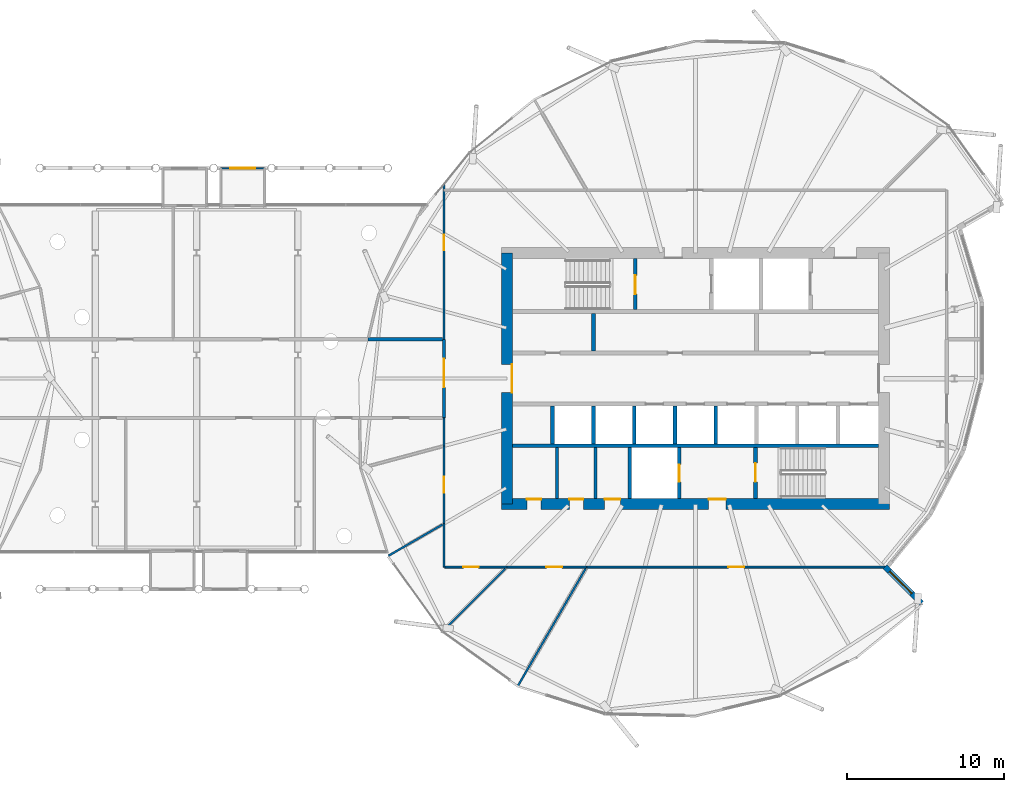
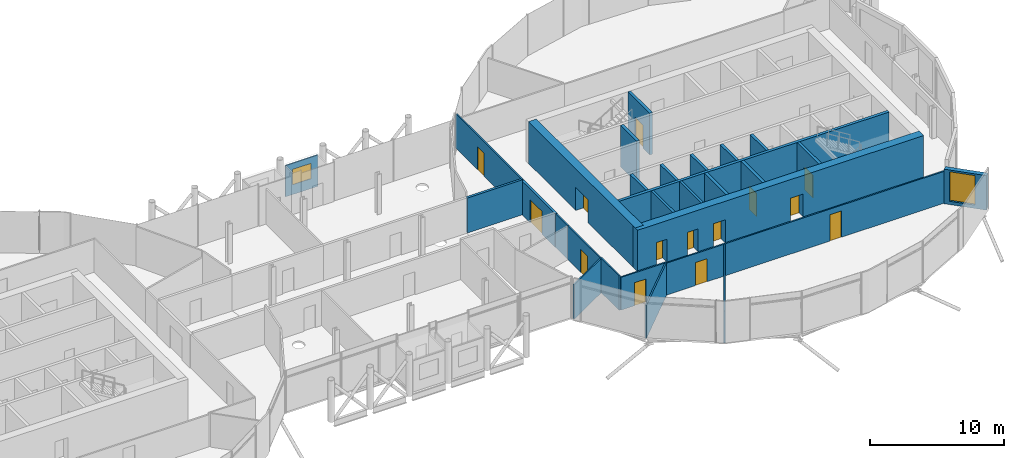
# One storey, part 26 of 39: 29 walls, 14 doors, 2 windows, 16 openings.
"""IFC4 building model written with IfcOpenShell, lengths in metres."""

from ifc_helpers import new_model, si_unit, direction, frame, frame_2d, origin, place, context, subcontext, project, spatial, rectangle, extrude, material, layer, layer_set, type_object, element, fill, save


model = new_model("IFC4")

# Units and contexts
model_context = context("Model", 3, precision=1e-05, world=origin(), true_north=direction((0.0, 1.0)))
body_context = subcontext(model_context, "Body", "Model", "MODEL_VIEW")
ifc_project = project(units=[si_unit("LENGTHUNIT", "METRE"), si_unit("AREAUNIT", "SQUARE_METRE"), si_unit("VOLUMEUNIT", "CUBIC_METRE"), si_unit("PLANEANGLEUNIT", "RADIAN"), si_unit("MASSUNIT", "GRAM", prefix="KILO")], contexts=[model_context])

# Site, building, storey
site_placement = place(None, origin())
site = spatial("IfcSite", under=ifc_project, at=site_placement, CompositionType="ELEMENT")
building_placement = place(site_placement, origin())
building = spatial("IfcBuilding", under=site, at=building_placement, Name="Rimbun Link Towers", CompositionType="ELEMENT")
storey_placement = place(building_placement, frame((0.0, 0.0, 139.199951171875)))
storey = spatial("IfcBuildingStorey", under=building, at=storey_placement, Name="L33", CompositionType="ELEMENT", Elevation=139.199951171875)

# Wall, opening, window
ifc_material_1 = material(Name="Terracotta-faced insulated sandwich panel", Category="masonry")
ifc_layer_1 = layer(ifc_material_1, 0.10009765625)
ifc_layer_set_1 = layer_set([ifc_layer_1], Name="CAPSULE shell panel 100")
wall_type_1 = type_object("IfcWallType", Name="CAPSULE shell panel 100", PredefinedType="STANDARD", material=ifc_layer_set_1)
wall_1_placement = place(storey_placement, frame((4.336669921875, 13.39990234375, -0.06005859375), z_axis=(0.0, 0.0, 1.0), x_axis=(-1.0, 0.0, 0.0)))
wall_1 = element("IfcWall", 1, at=wall_1_placement, inside=storey, type_object=wall_type_1, Name="CAPSULE F33.02 shell panel 2", PredefinedType="STANDARD", context=body_context, shape_type="SweptSolid", body=[
    extrude(rectangle(XDim=2.7998046875, YDim=0.10009765625, at=frame_2d((1.39990234375, 0.0))), origin(), (0.0, 0.0, 1.0), 2.85009765625),
])
opening_1_placement = place(wall_1_placement, frame((0.60009765625, 0.0, 0.89990234375)))
opening_1 = element("IfcOpeningElement", 2, at=opening_1_placement, cuts=wall_1, Name="Opening CN33.02", PredefinedType="OPENING", context=body_context, shape_type="SweptSolid", body=[
    extrude(rectangle(XDim=1.60009765625, YDim=1.39990234375, at=frame_2d((0.800048828125, 0.699951171875))), frame((0.0, 0.06005859375, 0.0), z_axis=(0.0, -1.0, 0.0), x_axis=(1.0, 0.0, 0.0)), (0.0, 0.0, 1.0), 0.1201171875),
])
ifc_material_2 = material(Name="Aluminium framed window, low-iron glass", Category="aluminium")
window_type_1 = type_object("IfcWindowType", Name="CAPSULE window 1600X1400", PartitioningType="SINGLE_PANEL", PredefinedType="WINDOW", material=ifc_material_2)
window_1_placement = place(opening_1_placement, origin())
window_1 = element("IfcWindow", 3, at=window_1_placement, inside=storey, type_object=window_type_1, Name="CAPSULE F33.02 window", OverallHeight=1.39990234375, OverallWidth=1.60009765625, PartitioningType="SINGLE_PANEL", PredefinedType="WINDOW", context=body_context, shape_type="SweptSolid", body=[
    extrude(rectangle(XDim=1.60009765625, YDim=1.39990234375, at=frame_2d((0.800048828125, 0.699951171875))), frame((0.0, 0.030029296875, 0.0), z_axis=(0.0, -1.0, 0.0), x_axis=(1.0, 0.0, 0.0)), (0.0, 0.0, 1.0), 0.06005859375),
])
fill(opening_1, window_1)

ifc_material_3 = material(Name="Dark enamelled glass spandrel on insulated aluminium backpan", Category="aluminium")
ifc_layer_2 = layer(ifc_material_3, 0.3701171875)
ifc_layer_set_2 = layer_set([ifc_layer_2], Name="CS dark enamelled spandrel wall 370")
wall_type_2 = type_object("IfcWallType", Name="CS dark enamelled spandrel wall 370", PredefinedType="STANDARD", material=ifc_layer_set_2)
wall_2_placement = place(storey_placement, frame((43.827880859375, -11.98583984375, 0.0), z_axis=(0.0, 0.0, 1.0), x_axis=(0.707106781187, -0.707106781187, 0.0)))
wall_2 = element("IfcWall", 4, at=wall_2_placement, inside=storey, type_object=wall_type_2, Name="Crease spandrel wall", PredefinedType="STANDARD", context=body_context, shape_type="SweptSolid", body=[
    extrude(rectangle(XDim=3.280029296875, YDim=0.3701171875, at=frame_2d((1.64013671875, 0.0))), origin(), (0.0, 0.0, 1.0), 3.15673828125),
])
opening_2_placement = place(wall_2_placement, frame((0.404296875, 0.0, 0.300048828125)))
opening_2 = element("IfcOpeningElement", 5, at=opening_2_placement, cuts=wall_2, Name="Opening WR20H270", PredefinedType="OPENING", context=body_context, shape_type="SweptSolid", body=[
    extrude(rectangle(XDim=2.0, YDim=2.699951171875, at=frame_2d((1.0, 1.35009765625))), frame((0.0, 0.195068359375, 0.0), z_axis=(0.0, -1.0, 0.0), x_axis=(1.0, 0.0, 0.0)), (0.0, 0.0, 1.0), 0.39013671875),
])
ifc_material_4 = material(Name="Aluminium framed fixed window, dark tinted low-e glass", Category="aluminium")
window_type_2 = type_object("IfcWindowType", Name="WR ribbon window 2000X2700", PartitioningType="SINGLE_PANEL", PredefinedType="WINDOW", material=ifc_material_4)
window_2_placement = place(opening_2_placement, origin())
window_2 = element("IfcWindow", 6, at=window_2_placement, inside=storey, type_object=window_type_2, Name="Crease ribbon window", OverallHeight=2.699951171875, OverallWidth=2.0, PartitioningType="SINGLE_PANEL", PredefinedType="WINDOW", context=body_context, shape_type="SweptSolid", body=[
    extrude(rectangle(XDim=2.0, YDim=2.699951171875, at=frame_2d((1.0, 1.35009765625))), frame((0.0, 0.030029296875, 0.0), z_axis=(0.0, -1.0, 0.0), x_axis=(1.0, 0.0, 0.0)), (0.0, 0.0, 1.0), 0.06005859375),
])
fill(opening_2, window_2)

# Walls
ifc_material_5 = material(Name="Masonry blockwork", Category="masonry")
ifc_layer_3 = layer(ifc_material_5, 0.199951171875)
ifc_layer_set_3 = layer_set([ifc_layer_3], Name="Core partition 200")
wall_type_3 = type_object("IfcWallType", Name="Core partition 200", PredefinedType="PARTITIONING", material=ifc_layer_set_3)
for number, where, z_axis, x_axis, name in (
    (7, (22.949951171875, -4.39990234375, 0.0), (0.0, 0.0, 1.0), (0.0, -1.0, 0.0), "L33 T2 core wall C1"),
    (8, (25.39990234375, -4.39990234375, 0.0), (0.0, 0.0, 1.0), (0.0, -1.0, 0.0), "L33 T2 core wall C2"),
):
    element("IfcWall", number, at=place(storey_placement, frame(where, z_axis=z_axis, x_axis=x_axis)), inside=storey, type_object=wall_type_3, Name=name, PredefinedType="PARTITIONING", context=body_context, shape_type="SweptSolid", body=[
        extrude(rectangle(XDim=3.25, YDim=0.199951171875, at=frame_2d((1.625, 0.0))), origin(), (0.0, 0.0, 1.0), 3.800048828125),
    ])

# Wall, openings, doors
ifc_material_6 = material(Name="Concrete C60/75", Category="concrete")
ifc_layer_4 = layer(ifc_material_6, 0.699951171875)
ifc_layer_set_4 = layer_set([ifc_layer_4], Name="Core shear wall 700")
wall_type_4 = type_object("IfcWallType", Name="Core shear wall 700", PredefinedType="SHEAR", material=ifc_layer_set_4)
wall_3_placement = place(storey_placement, frame((19.39990234375, -8.0, 0.0), z_axis=(0.0, 0.0, 1.0), x_axis=(1.0, 0.0, 0.0)))
wall_3 = element("IfcWall", 9, at=wall_3_placement, inside=storey, type_object=wall_type_4, Name="L33 T2 core wall S", PredefinedType="SHEAR", context=body_context, shape_type="SweptSolid", body=[
    extrude(rectangle(XDim=24.7001953125, YDim=0.699951171875, at=frame_2d((12.35009765625, 0.0))), origin(), (0.0, 0.0, 1.0), 3.800048828125),
])
opening_3_placement = place(wall_3_placement, frame((13.199951171875, 0.0, 0.0)))
opening_3 = element("IfcOpeningElement", 10, at=opening_3_placement, cuts=wall_3, Name="Opening C2DCF01S", PredefinedType="OPENING", context=body_context, shape_type="SweptSolid", body=[
    extrude(rectangle(XDim=1.10009765625, YDim=2.10009765625, at=frame_2d((0.550048828125, 1.050048828125))), frame((0.0, 0.35986328125, 0.0), z_axis=(0.0, -1.0, 0.0), x_axis=(1.0, 0.0, 0.0)), (0.0, 0.0, 1.0), 0.719970703125),
])
opening_4_placement = place(wall_3_placement, frame((1.625, 0.0, 0.0)))
opening_4 = element("IfcOpeningElement", 11, at=opening_4_placement, cuts=wall_3, Name="Opening C2DWC02S", PredefinedType="OPENING", context=body_context, shape_type="SweptSolid", body=[
    extrude(rectangle(XDim=0.89990234375, YDim=2.10009765625, at=frame_2d((0.449951171875, 1.050048828125))), frame((0.0, 0.35986328125, 0.0), z_axis=(0.0, -1.0, 0.0), x_axis=(1.0, 0.0, 0.0)), (0.0, 0.0, 1.0), 0.719970703125),
])
opening_5_placement = place(wall_3_placement, frame((4.324951171875, 0.0, 0.0)))
opening_5 = element("IfcOpeningElement", 12, at=opening_5_placement, cuts=wall_3, Name="Opening C2DWC03S", PredefinedType="OPENING", context=body_context, shape_type="SweptSolid", body=[
    extrude(rectangle(XDim=0.89990234375, YDim=2.10009765625, at=frame_2d((0.449951171875, 1.050048828125))), frame((0.0, 0.35986328125, 0.0), z_axis=(0.0, -1.0, 0.0), x_axis=(1.0, 0.0, 0.0)), (0.0, 0.0, 1.0), 0.719970703125),
])
opening_6_placement = place(wall_3_placement, frame((6.574951171875, 0.0, 0.0)))
opening_6 = element("IfcOpeningElement", 13, at=opening_6_placement, cuts=wall_3, Name="Opening C2DAW04S", PredefinedType="OPENING", context=body_context, shape_type="SweptSolid", body=[
    extrude(rectangle(XDim=1.0, YDim=2.10009765625, at=frame_2d((0.5, 1.050048828125))), frame((0.0, 0.35986328125, 0.0), z_axis=(0.0, -1.0, 0.0), x_axis=(1.0, 0.0, 0.0)), (0.0, 0.0, 1.0), 0.719970703125),
])
ifc_material_7 = material(Name="Timber", Category="wood")
door_type_1 = type_object("IfcDoorType", Name="Accessible WC door", OperationType="SINGLE_SWING_LEFT", PredefinedType="DOOR", material=ifc_material_7)
door_1_placement = place(opening_6_placement, origin())
door_1 = element("IfcDoor", 14, at=door_1_placement, inside=storey, type_object=door_type_1, Name="L33 T2 accessible wc door", OperationType="SINGLE_SWING_RIGHT", OverallHeight=2.10009765625, OverallWidth=1.0, PredefinedType="DOOR", context=body_context, shape_type="SweptSolid", body=[
    extrude(rectangle(XDim=1.0, YDim=2.10009765625, at=frame_2d((0.5, 1.050048828125))), frame((0.0, 0.35009765625, 0.0), z_axis=(0.0, -1.0, 0.0), x_axis=(1.0, 0.0, 0.0)), (0.0, 0.0, 1.0), 0.050048828125),
])
fill(opening_6, door_1)
ifc_material_8 = material(Name="Steel fire door set", Category="steel")
door_type_2 = type_object("IfcDoorType", Name="Core fire door single", OperationType="SINGLE_SWING_LEFT", PredefinedType="DOOR", material=ifc_material_8)
door_2_placement = place(opening_3_placement, origin())
door_2 = element("IfcDoor", 15, at=door_2_placement, inside=storey, type_object=door_type_2, Name="L33 T2 firefighting lobby s door", OperationType="SINGLE_SWING_LEFT", OverallHeight=2.10009765625, OverallWidth=1.10009765625, PredefinedType="DOOR", context=body_context, shape_type="SweptSolid", body=[
    extrude(rectangle(XDim=1.10009765625, YDim=2.10009765625, at=frame_2d((0.550048828125, 1.050048828125))), frame((0.0, 0.35009765625, 0.0), z_axis=(0.0, -1.0, 0.0), x_axis=(1.0, 0.0, 0.0)), (0.0, 0.0, 1.0), 0.050048828125),
])
fill(opening_3, door_2)
ifc_material_9 = material(Name="Timber", Category="wood")
door_type_3 = type_object("IfcDoorType", Name="WC door", OperationType="SINGLE_SWING_LEFT", PredefinedType="DOOR", material=ifc_material_9)
door_3_placement = place(opening_4_placement, origin())
door_3 = element("IfcDoor", 16, at=door_3_placement, inside=storey, type_object=door_type_3, Name="L33 T2 male wc door", OperationType="SINGLE_SWING_RIGHT", OverallHeight=2.10009765625, OverallWidth=0.89990234375, PredefinedType="DOOR", context=body_context, shape_type="SweptSolid", body=[
    extrude(rectangle(XDim=0.89990234375, YDim=2.10009765625, at=frame_2d((0.449951171875, 1.050048828125))), frame((0.0, 0.35009765625, 0.0), z_axis=(0.0, -1.0, 0.0), x_axis=(1.0, 0.0, 0.0)), (0.0, 0.0, 1.0), 0.050048828125),
])
fill(opening_4, door_3)
door_4_placement = place(opening_5_placement, origin())
door_4 = element("IfcDoor", 17, at=door_4_placement, inside=storey, type_object=door_type_3, Name="L33 T2 female wc door", OperationType="SINGLE_SWING_RIGHT", OverallHeight=2.10009765625, OverallWidth=0.89990234375, PredefinedType="DOOR", context=body_context, shape_type="SweptSolid", body=[
    extrude(rectangle(XDim=0.89990234375, YDim=2.10009765625, at=frame_2d((0.449951171875, 1.050048828125))), frame((0.0, 0.35009765625, 0.0), z_axis=(0.0, -1.0, 0.0), x_axis=(1.0, 0.0, 0.0)), (0.0, 0.0, 1.0), 0.050048828125),
])
fill(opening_5, door_4)

# Wall, opening, door
wall_4_placement = place(storey_placement, frame((19.75, -8.0, 0.0), z_axis=(0.0, 0.0, 1.0), x_axis=(0.0, 1.0, 0.0)))
wall_4 = element("IfcWall", 18, at=wall_4_placement, inside=storey, type_object=wall_type_4, Name="L33 T2 core wall W", PredefinedType="SHEAR", context=body_context, shape_type="SweptSolid", body=[
    extrude(rectangle(XDim=16.0, YDim=0.699951171875, at=frame_2d((8.0, 0.0))), origin(), (0.0, 0.0, 1.0), 3.800048828125),
])
opening_7_placement = place(wall_4_placement, frame((7.10009765625, 0.0, 0.0)))
opening_7 = element("IfcOpeningElement", 19, at=opening_7_placement, cuts=wall_4, Name="Opening C2DCL01W", PredefinedType="OPENING", context=body_context, shape_type="SweptSolid", body=[
    extrude(rectangle(XDim=1.800048828125, YDim=2.10009765625, at=frame_2d((0.89990234375, 1.050048828125))), frame((0.0, 0.35986328125, 0.0), z_axis=(0.0, -1.0, 0.0), x_axis=(1.0, 0.0, 0.0)), (0.0, 0.0, 1.0), 0.719970703125),
])
ifc_material_10 = material(Name="Steel fire door set", Category="steel")
door_type_4 = type_object("IfcDoorType", Name="Core lobby door double", OperationType="DOUBLE_DOOR_SINGLE_SWING", PredefinedType="DOOR", material=ifc_material_10)
door_5_placement = place(opening_7_placement, origin())
door_5 = element("IfcDoor", 20, at=door_5_placement, inside=storey, type_object=door_type_4, Name="L33 T2 lift lobby door", OperationType="DOUBLE_DOOR_SINGLE_SWING", OverallHeight=2.10009765625, OverallWidth=1.800048828125, PredefinedType="DOOR", context=body_context, shape_type="SweptSolid", body=[
    extrude(rectangle(XDim=1.800048828125, YDim=2.10009765625, at=frame_2d((0.89990234375, 1.050048828125))), frame((0.0, -0.2998046875, 0.0), z_axis=(0.0, -1.0, 0.0), x_axis=(1.0, 0.0, 0.0)), (0.0, 0.0, 1.0), 0.050048828125),
])
fill(opening_7, door_5)

ifc_material_11 = material(Name="Concrete blockwork", Category="masonry")
ifc_layer_5 = layer(ifc_material_11, 0.199951171875)
ifc_layer_set_5 = layer_set([ifc_layer_5], Name="Fire partition 200 blockwork")
wall_type_5 = type_object("IfcWallType", Name="Fire partition 200 blockwork", PredefinedType="PARTITIONING", material=ifc_layer_set_5)
wall_5_placement = place(storey_placement, frame((15.75, 2.5, 0.0), z_axis=(0.0, 0.0, 1.0), x_axis=(0.0, -1.0, 0.0)))
wall_5 = element("IfcWall", 21, at=wall_5_placement, inside=storey, type_object=wall_type_5, Name="TW/PW/L33/036", PredefinedType="PARTITIONING", context=body_context, shape_type="SweptSolid", body=[
    extrude(rectangle(XDim=5.0, YDim=0.199951171875, at=frame_2d((2.5, 0.0))), origin(), (0.0, 0.0, 1.0), 3.067138671875),
])
opening_8_placement = place(wall_5_placement, frame((1.2548828125, 0.0, 0.0)))
opening_8 = element("IfcOpeningElement", 22, at=opening_8_placement, cuts=wall_5, Name="Opening TW D33.26", PredefinedType="OPENING", context=body_context, shape_type="SweptSolid", body=[
    extrude(rectangle(XDim=1.800048828125, YDim=2.10009765625, at=frame_2d((0.89990234375, 1.050048828125))), frame((0.0, 0.10986328125, 0.0), z_axis=(0.0, -1.0, 0.0), x_axis=(1.0, 0.0, 0.0)), (0.0, 0.0, 1.0), 0.219970703125),
])
ifc_material_12 = material(Name="Steel fire door set", Category="steel")
door_type_5 = type_object("IfcDoorType", Name="Fire door double leaf 1800 x 2100", OperationType="NOTDEFINED", PredefinedType="DOOR", material=ifc_material_12)
door_6_placement = place(opening_8_placement, origin())
door_6 = element("IfcDoor", 23, at=door_6_placement, inside=storey, type_object=door_type_5, Name="TW/DR/L33/026", OperationType="DOUBLE_DOOR_SINGLE_SWING", OverallHeight=2.10009765625, OverallWidth=1.800048828125, PredefinedType="DOOR", context=body_context, shape_type="SweptSolid", body=[
    extrude(rectangle(XDim=1.800048828125, YDim=2.10009765625, at=frame_2d((0.89990234375, 1.050048828125))), frame((0.0, 0.02490234375, 0.0), z_axis=(0.0, -1.0, 0.0), x_axis=(1.0, 0.0, 0.0)), (0.0, 0.0, 1.0), 0.050048828125),
])
fill(opening_8, door_6)

# Wall
wall_6_placement = place(storey_placement, frame((15.64990234375, 2.5, 0.0), z_axis=(0.0, 0.0, 1.0), x_axis=(-1.0, 0.0, 0.0)))
element("IfcWall", 24, at=wall_6_placement, inside=storey, type_object=wall_type_5, Name="TW/PW/L33/050", PredefinedType="PARTITIONING", context=body_context, shape_type="SweptSolid", body=[
    extrude(rectangle(XDim=4.733154296875, YDim=0.199951171875, at=frame_2d((2.36669921875, 0.0))), origin(), (0.0, 0.0, 1.0), 3.194091796875),
])

# Wall, opening, door
ifc_material_13 = material(Name="Gypsum board on steel studs", Category="steel")
ifc_layer_6 = layer(ifc_material_13, 0.125)
ifc_layer_set_6 = layer_set([ifc_layer_6], Name="Partition 125 board on studs")
wall_type_6 = type_object("IfcWallType", Name="Partition 125 board on studs", PredefinedType="PARTITIONING", material=ifc_layer_set_6)
wall_7_placement = place(storey_placement, frame((15.75, -4.287109375, 0.0), z_axis=(0.0, 0.0, 1.0), x_axis=(0.0, -1.0, 0.0)))
wall_7 = element("IfcWall", 25, at=wall_7_placement, inside=storey, type_object=wall_type_6, Name="TW/PW/L33/037", PredefinedType="PARTITIONING", context=body_context, shape_type="SweptSolid", body=[
    extrude(rectangle(XDim=4.950439453125, YDim=0.125, at=frame_2d((2.47509765625, 0.0))), origin(), (0.0, 0.0, 1.0), 3.067138671875),
])
opening_9_placement = place(wall_7_placement, frame((1.97509765625, 0.0, 0.0)))
opening_9 = element("IfcOpeningElement", 26, at=opening_9_placement, cuts=wall_7, Name="Opening TW D33.10", PredefinedType="OPENING", context=body_context, shape_type="SweptSolid", body=[
    extrude(rectangle(XDim=1.0, YDim=2.10009765625, at=frame_2d((0.5, 1.050048828125))), frame((0.0, 0.072509765625, 0.0), z_axis=(0.0, -1.0, 0.0), x_axis=(1.0, 0.0, 0.0)), (0.0, 0.0, 1.0), 0.14501953125),
])
ifc_material_14 = material(Name="Timber door set", Category="wood")
door_type_6 = type_object("IfcDoorType", Name="Door single leaf 1000 x 2100", OperationType="NOTDEFINED", PredefinedType="DOOR", material=ifc_material_14)
door_7_placement = place(opening_9_placement, origin())
door_7 = element("IfcDoor", 27, at=door_7_placement, inside=storey, type_object=door_type_6, Name="TW/DR/L33/010", OperationType="SINGLE_SWING_LEFT", OverallHeight=2.10009765625, OverallWidth=1.0, PredefinedType="DOOR", context=body_context, shape_type="SweptSolid", body=[
    extrude(rectangle(XDim=1.0, YDim=2.10009765625, at=frame_2d((0.5, 1.050048828125))), frame((0.0, 0.02490234375, 0.0), z_axis=(0.0, -1.0, 0.0), x_axis=(1.0, 0.0, 0.0)), (0.0, 0.0, 1.0), 0.050048828125),
])
fill(opening_9, door_7)

# Wall
wall_8_placement = place(storey_placement, frame((15.75, -9.237548828125, 0.0), z_axis=(0.0, 0.0, 1.0), x_axis=(0.0, -1.0, 0.0)))
element("IfcWall", 28, at=wall_8_placement, inside=storey, type_object=wall_type_6, Name="TW/PW/L33/038", PredefinedType="PARTITIONING", context=body_context, shape_type="SweptSolid", body=[
    extrude(rectangle(XDim=2.762451171875, YDim=0.125, at=frame_2d((1.38134765625, 0.0))), origin(), (0.0, 0.0, 1.0), 3.14697265625),
])

# Wall, opening, door
wall_9_placement = place(storey_placement, frame((15.8125, -12.0, 0.0), z_axis=(0.0, 0.0, 1.0), x_axis=(1.0, 0.0, 0.0)))
wall_9 = element("IfcWall", 29, at=wall_9_placement, inside=storey, type_object=wall_type_6, Name="TW/PW/L33/039", PredefinedType="PARTITIONING", context=body_context, shape_type="SweptSolid", body=[
    extrude(rectangle(XDim=3.9375, YDim=0.125, at=frame_2d((1.96875, 0.0))), origin(), (0.0, 0.0, 1.0), 2.9970703125),
])
opening_10_placement = place(wall_9_placement, frame((1.1630859375, 0.0, 0.0)))
opening_10 = element("IfcOpeningElement", 30, at=opening_10_placement, cuts=wall_9, Name="Opening TW D33.11", PredefinedType="OPENING", context=body_context, shape_type="SweptSolid", body=[
    extrude(rectangle(XDim=1.0, YDim=2.10009765625, at=frame_2d((0.5, 1.050048828125))), frame((0.0, 0.072509765625, 0.0), z_axis=(0.0, -1.0, 0.0), x_axis=(1.0, 0.0, 0.0)), (0.0, 0.0, 1.0), 0.14501953125),
])
door_8_placement = place(opening_10_placement, origin())
door_8 = element("IfcDoor", 31, at=door_8_placement, inside=storey, type_object=door_type_6, Name="TW/DR/L33/011", OperationType="SINGLE_SWING_RIGHT", OverallHeight=2.10009765625, OverallWidth=1.0, PredefinedType="DOOR", context=body_context, shape_type="SweptSolid", body=[
    extrude(rectangle(XDim=1.0, YDim=2.10009765625, at=frame_2d((0.5, 1.050048828125))), frame((0.0, 0.02490234375, 0.0), z_axis=(0.0, -1.0, 0.0), x_axis=(1.0, 0.0, 0.0)), (0.0, 0.0, 1.0), 0.050048828125),
])
fill(opening_10, door_8)

wall_10_placement = place(storey_placement, frame((19.75, -12.0, 0.0), z_axis=(0.0, 0.0, 1.0), x_axis=(1.0, 0.0, 0.0)))
wall_10 = element("IfcWall", 32, at=wall_10_placement, inside=storey, type_object=wall_type_6, Name="TW/PW/L33/040", PredefinedType="PARTITIONING", context=body_context, shape_type="SweptSolid", body=[
    extrude(rectangle(XDim=5.07177734375, YDim=0.125, at=frame_2d((2.535888671875, 0.0))), origin(), (0.0, 0.0, 1.0), 2.9169921875),
])
opening_11_placement = place(wall_10_placement, frame((2.511962890625, 0.0, 0.0)))
opening_11 = element("IfcOpeningElement", 33, at=opening_11_placement, cuts=wall_10, Name="Opening TW D33.12", PredefinedType="OPENING", context=body_context, shape_type="SweptSolid", body=[
    extrude(rectangle(XDim=1.0, YDim=2.10009765625, at=frame_2d((0.5, 1.050048828125))), frame((0.0, 0.072509765625, 0.0), z_axis=(0.0, -1.0, 0.0), x_axis=(1.0, 0.0, 0.0)), (0.0, 0.0, 1.0), 0.14501953125),
])
door_9_placement = place(opening_11_placement, origin())
door_9 = element("IfcDoor", 34, at=door_9_placement, inside=storey, type_object=door_type_6, Name="TW/DR/L33/012", OperationType="SINGLE_SWING_LEFT", OverallHeight=2.10009765625, OverallWidth=1.0, PredefinedType="DOOR", context=body_context, shape_type="SweptSolid", body=[
    extrude(rectangle(XDim=1.0, YDim=2.10009765625, at=frame_2d((0.5, 1.050048828125))), frame((0.0, 0.02490234375, 0.0), z_axis=(0.0, -1.0, 0.0), x_axis=(1.0, 0.0, 0.0)), (0.0, 0.0, 1.0), 0.050048828125),
])
fill(opening_11, door_9)

wall_11_placement = place(storey_placement, frame((24.82177734375, -12.0, 0.0), z_axis=(0.0, 0.0, 1.0), x_axis=(1.0, 0.0, 0.0)))
wall_11 = element("IfcWall", 35, at=wall_11_placement, inside=storey, type_object=wall_type_6, Name="TW/PW/L33/041", PredefinedType="PARTITIONING", context=body_context, shape_type="SweptSolid", body=[
    extrude(rectangle(XDim=19.06591796875, YDim=0.125, at=frame_2d((9.532958984375, 0.0))), origin(), (0.0, 0.0, 1.0), 2.9169921875),
])
opening_12_placement = place(wall_11_placement, frame((9.032958984375, 0.0, 0.0)))
opening_12 = element("IfcOpeningElement", 36, at=opening_12_placement, cuts=wall_11, Name="Opening TW D33.13", PredefinedType="OPENING", context=body_context, shape_type="SweptSolid", body=[
    extrude(rectangle(XDim=1.0, YDim=2.39990234375, at=frame_2d((0.5, 1.199951171875))), frame((0.0, 0.072509765625, 0.0), z_axis=(0.0, -1.0, 0.0), x_axis=(1.0, 0.0, 0.0)), (0.0, 0.0, 1.0), 0.14501953125),
])
ifc_material_15 = material(Name="Timber door set", Category="wood")
door_type_7 = type_object("IfcDoorType", Name="Hall door single leaf 1000 x 2400", OperationType="NOTDEFINED", PredefinedType="DOOR", material=ifc_material_15)
door_10_placement = place(opening_12_placement, origin())
door_10 = element("IfcDoor", 37, at=door_10_placement, inside=storey, type_object=door_type_7, Name="TW/DR/L33/013", OperationType="SINGLE_SWING_RIGHT", OverallHeight=2.39990234375, OverallWidth=1.0, PredefinedType="DOOR", context=body_context, shape_type="SweptSolid", body=[
    extrude(rectangle(XDim=1.0, YDim=2.39990234375, at=frame_2d((0.5, 1.199951171875))), frame((0.0, 0.02490234375, 0.0), z_axis=(0.0, -1.0, 0.0), x_axis=(1.0, 0.0, 0.0)), (0.0, 0.0, 1.0), 0.050048828125),
])
fill(opening_12, door_10)

# Wall
wall_12_placement = place(storey_placement, frame((15.75, -2.5, 0.0), z_axis=(0.0, 0.0, 1.0), x_axis=(0.0, -1.0, 0.0)))
element("IfcWall", 38, at=wall_12_placement, inside=storey, type_object=wall_type_6, Name="TW/PW/L33/045", PredefinedType="PARTITIONING", context=body_context, shape_type="SweptSolid", body=[
    extrude(rectangle(XDim=1.787109375, YDim=0.125, at=frame_2d((0.8935546875, 0.0))), origin(), (0.0, 0.0, 1.0), 3.067138671875),
])

# Wall, opening, door
wall_13_placement = place(storey_placement, frame((15.75, 12.42578125, 0.0), z_axis=(0.0, 0.0, 1.0), x_axis=(0.0, -1.0, 0.0)))
wall_13 = element("IfcWall", 39, at=wall_13_placement, inside=storey, type_object=wall_type_6, Name="TW/PW/L33/047", PredefinedType="PARTITIONING", context=body_context, shape_type="SweptSolid", body=[
    extrude(rectangle(XDim=9.92578125, YDim=0.125, at=frame_2d((4.962890625, 0.0))), origin(), (0.0, 0.0, 1.0), 3.14697265625),
])
opening_13_placement = place(wall_13_placement, frame((3.259033203125, 0.0, 0.0)))
opening_13 = element("IfcOpeningElement", 40, at=opening_13_placement, cuts=wall_13, Name="Opening TW D33.17", PredefinedType="OPENING", context=body_context, shape_type="SweptSolid", body=[
    extrude(rectangle(XDim=1.0, YDim=2.10009765625, at=frame_2d((0.5, 1.050048828125))), frame((0.0, 0.072509765625, 0.0), z_axis=(0.0, -1.0, 0.0), x_axis=(1.0, 0.0, 0.0)), (0.0, 0.0, 1.0), 0.14501953125),
])
door_11_placement = place(opening_13_placement, origin())
door_11 = element("IfcDoor", 41, at=door_11_placement, inside=storey, type_object=door_type_6, Name="TW/DR/L33/017", OperationType="SINGLE_SWING_RIGHT", OverallHeight=2.10009765625, OverallWidth=1.0, PredefinedType="DOOR", context=body_context, shape_type="SweptSolid", body=[
    extrude(rectangle(XDim=1.0, YDim=2.10009765625, at=frame_2d((0.5, 1.050048828125))), frame((0.0, 0.02490234375, 0.0), z_axis=(0.0, -1.0, 0.0), x_axis=(1.0, 0.0, 0.0)), (0.0, 0.0, 1.0), 0.050048828125),
])
fill(opening_13, door_11)

# Walls
wall_14_placement = place(storey_placement, frame((12.210693359375, -11.281005859375, 0.0), z_axis=(0.0, 0.0, 1.0), x_axis=(0.866029239311, 0.499993356615, 0.0)))
element("IfcWall", 42, at=wall_14_placement, inside=storey, type_object=wall_type_6, Name="TW/PW/L33/051", PredefinedType="PARTITIONING", context=body_context, shape_type="SweptSolid", body=[
    extrude(rectangle(XDim=3.978515625, YDim=0.125, at=frame_2d((1.9892578125, 0.0))), origin(), (0.0, 0.0, 1.0), 3.14697265625),
])
wall_15_placement = place(storey_placement, frame((15.604248046875, -16.145751953125, 0.0), z_axis=(0.0, 0.0, 1.0), x_axis=(0.707106781187, 0.707106781187, 0.0)))
element("IfcWall", 43, at=wall_15_placement, inside=storey, type_object=wall_type_6, Name="TW/PW/L33/054", PredefinedType="PARTITIONING", context=body_context, shape_type="SweptSolid", body=[
    extrude(rectangle(XDim=5.712158203125, YDim=0.125, at=frame_2d((2.85595703125, 0.0))), origin(), (0.0, 0.0, 1.0), 2.9970703125),
])
wall_16_placement = place(storey_placement, frame((20.428955078125, -19.608642578125, 0.0), z_axis=(0.0, 0.0, 1.0), x_axis=(0.499991166161, 0.866030503944, 0.0)))
element("IfcWall", 44, at=wall_16_placement, inside=storey, type_object=wall_type_6, Name="TW/PW/L33/055", PredefinedType="PARTITIONING", context=body_context, shape_type="SweptSolid", body=[
    extrude(rectangle(XDim=8.677490234375, YDim=0.125, at=frame_2d((4.3388671875, 0.0))), origin(), (0.0, 0.0, 1.0), 2.9169921875),
])
ifc_material_16 = material(Name="Concrete C60/75", Category="concrete")
ifc_layer_7 = layer(ifc_material_16, 0.25)
ifc_layer_set_7 = layer_set([ifc_layer_7], Name="Shaft wall 250")
wall_type_7 = type_object("IfcWallType", Name="Shaft wall 250", PredefinedType="SHEAR", material=ifc_layer_set_7)
wall_17_placement = place(storey_placement, frame((20.10009765625, -4.27490234375, 0.0), z_axis=(0.0, 0.0, 1.0), x_axis=(1.0, 0.0, 0.0)))
element("IfcWall", 45, at=wall_17_placement, inside=storey, type_object=wall_type_7, Name="L33 T2 core wall BS", PredefinedType="SHEAR", context=body_context, shape_type="SweptSolid", body=[
    extrude(rectangle(XDim=23.2998046875, YDim=0.25, at=frame_2d((11.64990234375, 0.0))), origin(), (0.0, 0.0, 1.0), 3.800048828125),
])
for number, where, z_axis, x_axis, name in (
    (46, (25.263916015625, 1.75, 0.0), (0.0, 0.0, 1.0), (0.0, 1.0, 0.0), "L33 T2 core wall DN1"),
    (47, (22.66943359375, -4.14990234375, 0.0), (0.0, 0.0, 1.0), (0.0, 1.0, 0.0), "L33 T2 core wall DS0"),
    (48, (25.263916015625, -4.14990234375, 0.0), (0.0, 0.0, 1.0), (0.0, 1.0, 0.0), "L33 T2 core wall DS1"),
    (49, (27.8583984375, -4.14990234375, 0.0), (0.0, 0.0, 1.0), (0.0, 1.0, 0.0), "L33 T2 core wall DS2"),
    (50, (30.452880859375, -4.14990234375, 0.0), (0.0, 0.0, 1.0), (0.0, 1.0, 0.0), "L33 T2 core wall DS3"),
    (51, (33.047119140625, -4.14990234375, 0.0), (0.0, 0.0, 1.0), (0.0, 1.0, 0.0), "L33 T2 core wall DS4"),
):
    element("IfcWall", number, at=place(storey_placement, frame(where, z_axis=z_axis, x_axis=x_axis)), inside=storey, type_object=wall_type_7, Name=name, PredefinedType="SHEAR", context=body_context, shape_type="SweptSolid", body=[
        extrude(rectangle(XDim=2.39990234375, YDim=0.25, at=frame_2d((1.199951171875, 0.0))), origin(), (0.0, 0.0, 1.0), 3.800048828125),
    ])

# Wall, opening, door
wall_18_placement = place(storey_placement, frame((27.925048828125, 4.39990234375, 0.0), z_axis=(0.0, 0.0, 1.0), x_axis=(0.0, 1.0, 0.0)))
wall_18 = element("IfcWall", 52, at=wall_18_placement, inside=storey, type_object=wall_type_7, Name="L33 T2 core wall A1", PredefinedType="SHEAR", context=body_context, shape_type="SweptSolid", body=[
    extrude(rectangle(XDim=3.25, YDim=0.25, at=frame_2d((1.625, 0.0))), origin(), (0.0, 0.0, 1.0), 3.800048828125),
])
opening_14_placement = place(wall_18_placement, frame((0.97509765625, 0.0, 0.0)))
opening_14 = element("IfcOpeningElement", 53, at=opening_14_placement, cuts=wall_18, Name="Opening C2DST01A1", PredefinedType="OPENING", context=body_context, shape_type="SweptSolid", body=[
    extrude(rectangle(XDim=1.199951171875, YDim=2.10009765625, at=frame_2d((0.60009765625, 1.050048828125))), frame((0.0, 0.135009765625, 0.0), z_axis=(0.0, -1.0, 0.0), x_axis=(1.0, 0.0, 0.0)), (0.0, 0.0, 1.0), 0.27001953125),
])
ifc_material_17 = material(Name="Steel fire door set", Category="steel")
door_type_8 = type_object("IfcDoorType", Name="Stair door", OperationType="SINGLE_SWING_LEFT", PredefinedType="DOOR", material=ifc_material_17)
door_12_placement = place(opening_14_placement, origin())
door_12 = element("IfcDoor", 54, at=door_12_placement, inside=storey, type_object=door_type_8, Name="L33 T2 stair a door", OperationType="SINGLE_SWING_LEFT", OverallHeight=2.10009765625, OverallWidth=1.199951171875, PredefinedType="DOOR", context=body_context, shape_type="SweptSolid", body=[
    extrude(rectangle(XDim=1.199951171875, YDim=2.10009765625, at=frame_2d((0.60009765625, 1.050048828125))), frame((0.0, 0.02490234375, 0.0), z_axis=(0.0, -1.0, 0.0), x_axis=(1.0, 0.0, 0.0)), (0.0, 0.0, 1.0), 0.050048828125),
])
fill(opening_14, door_12)

wall_19_placement = place(storey_placement, frame((35.574951171875, -4.39990234375, 0.0), z_axis=(0.0, 0.0, 1.0), x_axis=(0.0, -1.0, 0.0)))
wall_19 = element("IfcWall", 55, at=wall_19_placement, inside=storey, type_object=wall_type_7, Name="L33 T2 core wall B1", PredefinedType="SHEAR", context=body_context, shape_type="SweptSolid", body=[
    extrude(rectangle(XDim=3.25, YDim=0.25, at=frame_2d((1.625, 0.0))), origin(), (0.0, 0.0, 1.0), 3.800048828125),
])
opening_15_placement = place(wall_19_placement, frame((0.97509765625, 0.0, 0.0)))
opening_15 = element("IfcOpeningElement", 56, at=opening_15_placement, cuts=wall_19, Name="Opening C2DST01B1", PredefinedType="OPENING", context=body_context, shape_type="SweptSolid", body=[
    extrude(rectangle(XDim=1.199951171875, YDim=2.10009765625, at=frame_2d((0.60009765625, 1.050048828125))), frame((0.0, 0.135009765625, 0.0), z_axis=(0.0, -1.0, 0.0), x_axis=(1.0, 0.0, 0.0)), (0.0, 0.0, 1.0), 0.27001953125),
])
door_13_placement = place(opening_15_placement, origin())
door_13 = element("IfcDoor", 57, at=door_13_placement, inside=storey, type_object=door_type_8, Name="L33 T2 stair b door", OperationType="SINGLE_SWING_RIGHT", OverallHeight=2.10009765625, OverallWidth=1.199951171875, PredefinedType="DOOR", context=body_context, shape_type="SweptSolid", body=[
    extrude(rectangle(XDim=1.199951171875, YDim=2.10009765625, at=frame_2d((0.60009765625, 1.050048828125))), frame((0.0, 0.02490234375, 0.0), z_axis=(0.0, -1.0, 0.0), x_axis=(1.0, 0.0, 0.0)), (0.0, 0.0, 1.0), 0.050048828125),
])
fill(opening_15, door_13)

wall_20_placement = place(storey_placement, frame((30.72509765625, -4.39990234375, 0.0), z_axis=(0.0, 0.0, 1.0), x_axis=(0.0, -1.0, 0.0)))
wall_20 = element("IfcWall", 58, at=wall_20_placement, inside=storey, type_object=wall_type_7, Name="L33 T2 core wall B2", PredefinedType="SHEAR", context=body_context, shape_type="SweptSolid", body=[
    extrude(rectangle(XDim=3.25, YDim=0.25, at=frame_2d((1.625, 0.0))), origin(), (0.0, 0.0, 1.0), 3.800048828125),
])
opening_16_placement = place(wall_20_placement, frame((1.074951171875, 0.0, 0.0)))
opening_16 = element("IfcOpeningElement", 59, at=opening_16_placement, cuts=wall_20, Name="Opening LD-T2-FF2", PredefinedType="OPENING", context=body_context, shape_type="SweptSolid", body=[
    extrude(rectangle(XDim=1.10009765625, YDim=2.10009765625, at=frame_2d((0.550048828125, 1.050048828125))), frame((0.0, 0.135009765625, 0.0), z_axis=(0.0, -1.0, 0.0), x_axis=(1.0, 0.0, 0.0)), (0.0, 0.0, 1.0), 0.27001953125),
])
ifc_material_18 = material(Name="Stainless steel grade 316", Category="steel")
door_type_9 = type_object("IfcDoorType", Name="Lift landing door", OperationType="DOUBLE_DOOR_SLIDING", PredefinedType="DOOR", material=ifc_material_18)
door_14_placement = place(opening_16_placement, origin())
door_14 = element("IfcDoor", 60, at=door_14_placement, inside=storey, type_object=door_type_9, Name="L33 T2 lift FF2 landing door", OperationType="DOUBLE_DOOR_SLIDING", OverallHeight=2.10009765625, OverallWidth=1.10009765625, PredefinedType="DOOR", context=body_context, shape_type="SweptSolid", body=[
    extrude(rectangle(XDim=1.10009765625, YDim=2.10009765625, at=frame_2d((0.550048828125, 1.050048828125))), frame((0.0, 0.02490234375, 0.0), z_axis=(0.0, -1.0, 0.0), x_axis=(1.0, 0.0, 0.0)), (0.0, 0.0, 1.0), 0.050048828125),
])
fill(opening_16, door_14)

# Wall
wall_21_placement = place(storey_placement, frame((27.574951171875, -4.39990234375, 0.0), z_axis=(0.0, 0.0, 1.0), x_axis=(0.0, -1.0, 0.0)))
element("IfcWall", 61, at=wall_21_placement, inside=storey, type_object=wall_type_7, Name="L33 T2 core wall B3", PredefinedType="SHEAR", context=body_context, shape_type="SweptSolid", body=[
    extrude(rectangle(XDim=3.25, YDim=0.25, at=frame_2d((1.625, 0.0))), origin(), (0.0, 0.0, 1.0), 3.800048828125),
])

save(model, "model.ifc")
